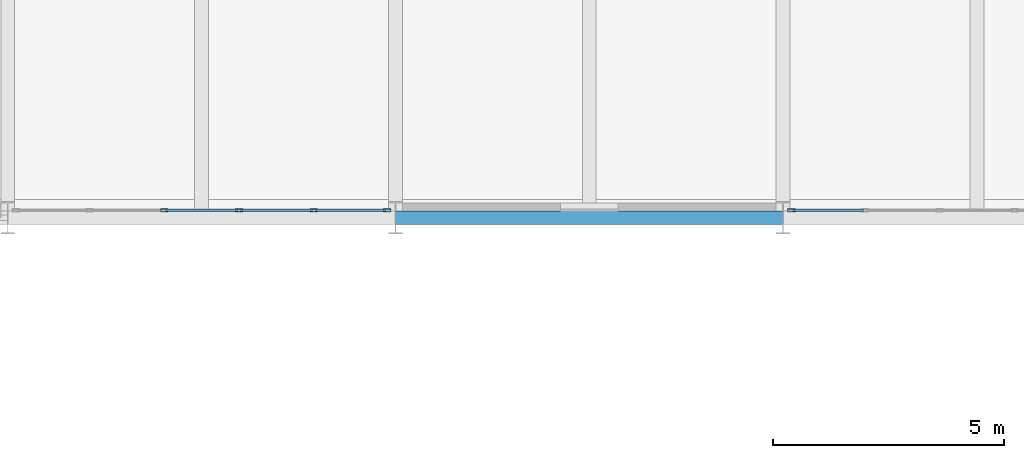
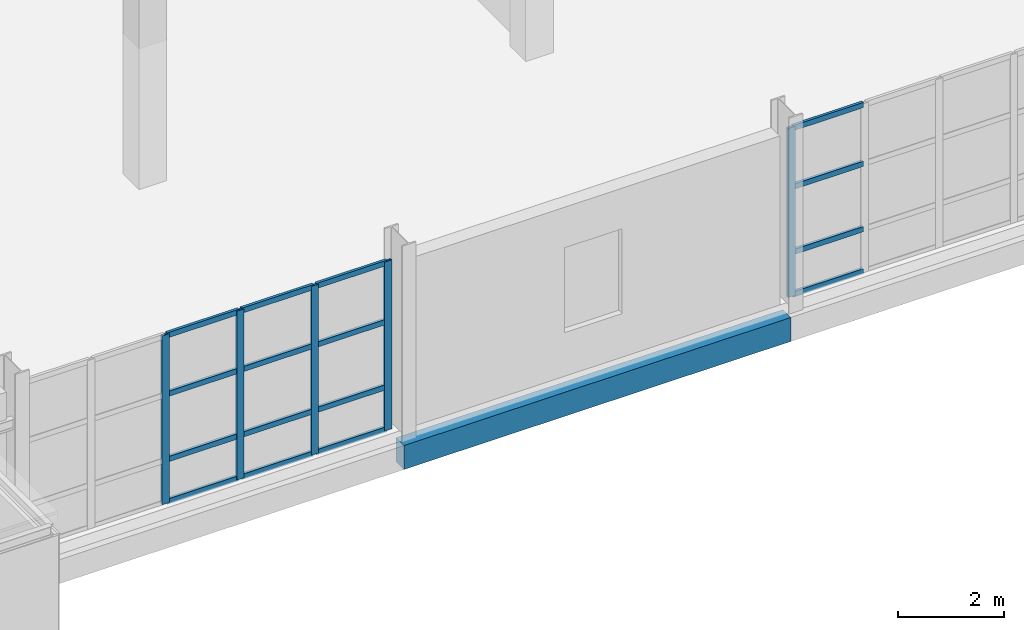
# One storey, part 64 of 113: 21 members, 1 beam, 2 elements without a shape of their own.
"""IFC4 building model written with IfcOpenShell, lengths in metres."""

import ifcopenshell
import ifcopenshell.guid

model = None  # the IFC model being written
_history = None  # IfcOwnerHistory: only IFC2X3 demands one
_inside = {}  # id of a spatial element -> (the spatial element, [elements in it])
_under = {}  # id of a project, library or spatial element -> (it, [spatial elements below it])
_declared = {}  # id of a project -> (the project, [libraries it declares])
_typed = {}  # id of a type object -> (the type object, [elements of that type])
_made_of = {}  # id of a material, layer set ... -> (it, [elements and type objects made of it])


def new_model(schema):
    """Start an empty IFC model of exactly this schema.

    Asked for "IFC4X3", IfcOpenShell would pick the latest addendum, in which some entities
    have other attributes; the version numbers below select the first issue.
    IFC2X3 requires an IfcOwnerHistory on every rooted entity: one is made here for all.
    """
    global model, _history
    if schema == "IFC4X3":
        model = ifcopenshell.file(schema_version=(4, 3, 0, 0))
    else:
        model = ifcopenshell.file(schema=schema)
    _inside.clear()
    _under.clear()
    _declared.clear()
    _typed.clear()
    _made_of.clear()
    _history = None
    if model.schema == "IFC2X3":
        org = make("IfcOrganization", Name="unknown")
        user = make(
            "IfcPersonAndOrganization",
            ThePerson=make("IfcPerson", FamilyName="unknown"),
            TheOrganization=org,
        )
        app = make(
            "IfcApplication",
            ApplicationDeveloper=org,
            Version="unknown",
            ApplicationFullName="unknown",
            ApplicationIdentifier="unknown",
        )
        _history = make(
            "IfcOwnerHistory",
            OwningUser=user,
            OwningApplication=app,
            ChangeAction="ADDED",
            CreationDate=0,
        )
    return model


def make(cls, **values):
    """One entity of the class cls with the attributes given. An attribute that is None is left unset."""
    return model.create_entity(
        cls, **{name: value for name, value in values.items() if value is not None}
    )


def rooted(cls, **values):
    """An entity with a GlobalId (a new one), such as an element, a storey or a relation."""
    return make(cls, GlobalId=ifcopenshell.guid.new(), OwnerHistory=_history, **values)


def si_unit(unit_type, name, prefix=None):
    """IfcSIUnit, for example si_unit("LENGTHUNIT", "METRE", prefix="MILLI")."""
    return make("IfcSIUnit", UnitType=unit_type, Prefix=prefix, Name=name)


def assignment(units):
    """IfcUnitAssignment: the units of a project."""
    return None if units is None else make("IfcUnitAssignment", Units=units)


def point(xyz):
    """IfcCartesianPoint."""
    return None if xyz is None else make("IfcCartesianPoint", Coordinates=xyz)


def direction(xyz):
    """IfcDirection."""
    return None if xyz is None else make("IfcDirection", DirectionRatios=xyz)


def frame(location, z_axis=None, x_axis=None):
    """IfcAxis2Placement3D, a coordinate frame: its origin and axes. An axis left out is left unset."""
    return make(
        "IfcAxis2Placement3D",
        Location=point(location),
        Axis=direction(z_axis),
        RefDirection=direction(x_axis),
    )


def frame_2d(location, x_axis=None):
    """IfcAxis2Placement2D, a coordinate frame in the plane: its origin and x axis."""
    return make(
        "IfcAxis2Placement2D", Location=point(location), RefDirection=direction(x_axis)
    )


def origin():
    """The frame at (0, 0, 0) with its axes left unset."""
    return frame((0.0, 0.0, 0.0))


def origin_2d():
    """The frame at (0, 0) in the plane with its x axis left unset."""
    return frame_2d((0.0, 0.0))


def place(relative_to, where):
    """IfcLocalPlacement: puts the frame where relative to a parent placement (None: the world)."""
    return make(
        "IfcLocalPlacement", PlacementRelTo=relative_to, RelativePlacement=where
    )


def context(
    kind, dimensions, precision=None, world=None, true_north=None, identifier=None
):
    """IfcGeometricRepresentationContext, for example the 3D "Model" context."""
    return make(
        "IfcGeometricRepresentationContext",
        ContextIdentifier=identifier,
        ContextType=kind,
        CoordinateSpaceDimension=dimensions,
        Precision=precision,
        WorldCoordinateSystem=world,
        TrueNorth=true_north,
    )


def subcontext(parent, identifier, kind, view, scale=None):
    """IfcGeometricRepresentationSubContext, for example "Body" below "Model"."""
    return make(
        "IfcGeometricRepresentationSubContext",
        ContextIdentifier=identifier,
        ContextType=kind,
        ParentContext=parent,
        TargetScale=scale,
        TargetView=view,
    )


def project(units=None, contexts=None):
    """IfcProject with its units and contexts."""
    return rooted(
        "IfcProject",
        Name="project",
        RepresentationContexts=contexts,
        UnitsInContext=assignment(units),
    )


def spatial(cls, under=None, at=None, **own):
    """A site, building, storey or space (cls), placed at a placement, below another one or the project."""
    s = rooted(cls, ObjectPlacement=at, **own)
    if under is not None:
        _under.setdefault(under.id(), (under, []))[1].append(s)
    return s


def profile(cls, at=None, kind="AREA", **sizes):
    """A parametric profile (cls). Its sizes go by their IFC names, for example OverallWidth=200.0."""
    return make(cls, ProfileType=kind, Position=at, **sizes)


def rectangle(**sizes):
    """IfcRectangleProfileDef."""
    return profile("IfcRectangleProfileDef", **sizes)


def hollow_rectangle(**sizes):
    """IfcRectangleHollowProfileDef."""
    return profile("IfcRectangleHollowProfileDef", **sizes)


def extrude(swept, where, along, depth):
    """IfcExtrudedAreaSolid: the profile swept, set in the frame where, extruded along a direction by depth."""
    return make(
        "IfcExtrudedAreaSolid",
        SweptArea=swept,
        Position=where,
        ExtrudedDirection=direction(along),
        Depth=depth,
    )


def shape(context_of_items, identifier, shape_type, items):
    """IfcShapeRepresentation: the items that make up one representation, for example the "Body"."""
    return make(
        "IfcShapeRepresentation",
        ContextOfItems=context_of_items,
        RepresentationIdentifier=identifier,
        RepresentationType=shape_type,
        Items=items,
    )


def material(Name=None, Category=None):
    """IfcMaterial."""
    return make("IfcMaterial", Name=Name, Category=Category)


def material_profile(
    of_material, cross_section, Name=None, Category=None, Priority=None
):
    """IfcMaterialProfile: a cross section and its material."""
    return make(
        "IfcMaterialProfile",
        Name=Name,
        Material=of_material,
        Profile=cross_section,
        Priority=Priority,
        Category=Category,
    )


def profile_set(profiles, Name=None, composite=None):
    """IfcMaterialProfileSet."""
    return make(
        "IfcMaterialProfileSet",
        Name=Name,
        MaterialProfiles=profiles,
        CompositeProfile=composite,
    )


def made_of(thing, what):
    """Note that an element or type object is made of a material, layer set ...; save() writes the relation."""
    if what is not None:
        _made_of.setdefault(what.id(), (what, []))[1].append(thing)
    return thing


def type_object(cls, material=None, **own):
    """A type object (cls), such as IfcWallType, which elements share."""
    return made_of(rooted(cls, **own), material)


def element(
    cls,
    number,
    at=None,
    inside=None,
    cuts=None,
    type_object=None,
    material=None,
    context=None,
    identifier="Body",
    shape_type=None,
    held_by="IfcProductDefinitionShape",
    body=None,
    shapes=None,
    **own,
):
    """One element of the class cls, such as IfcWall. Its Tag is "e" and its number.

    at: its placement. inside: the storey or other place that contains it. cuts: it is an
    opening in that element (IfcRelVoidsElement). A single representation is given by context,
    identifier, shape_type and body (its items); several are given by shapes. held_by: the class
    of the entity that holds the representations. save() writes the other relations.
    """
    e = rooted(cls, Tag="e%d" % number, ObjectPlacement=at, **own)
    if body is not None:
        shapes = [shape(context, identifier, shape_type, body)]
    if shapes is not None:
        e.Representation = make(held_by, Representations=shapes)
    if inside is not None:
        _inside.setdefault(inside.id(), (inside, []))[1].append(e)
    if cuts is not None:
        rooted(
            "IfcRelVoidsElement", RelatingBuildingElement=cuts, RelatedOpeningElement=e
        )
    if type_object is not None:
        _typed.setdefault(type_object.id(), (type_object, []))[1].append(e)
    return made_of(e, material)


def aggregate(whole, parts):
    """IfcRelAggregates: a whole, such as a stair, and the parts it consists of."""
    return rooted("IfcRelAggregates", RelatingObject=whole, RelatedObjects=parts)


def save(model, path):
    """Write the relations noted so far, then the file.

    IfcRelAggregates (storeys below a building ...), IfcRelContainedInSpatialStructure (elements
    in a storey), IfcRelDefinesByType, IfcRelAssociatesMaterial and IfcRelDeclares: one each for
    every whole, place, type object, material and project.
    """
    for whole, parts in _under.values():
        aggregate(whole, parts)
    for where, things in _inside.values():
        rooted(
            "IfcRelContainedInSpatialStructure",
            RelatedElements=things,
            RelatingStructure=where,
        )
    for kind, things in _typed.values():
        rooted("IfcRelDefinesByType", RelatedObjects=things, RelatingType=kind)
    for what, things in _made_of.values():
        rooted("IfcRelAssociatesMaterial", RelatedObjects=things, RelatingMaterial=what)
    for by, libraries in _declared.values():
        rooted("IfcRelDeclares", RelatingContext=by, RelatedDefinitions=libraries)
    model.write(path)


model = new_model("IFC4")

# Units and contexts
model_context = context("Model", 3, precision=1e-05, world=origin(), true_north=direction((0.0, 1.0)))
body_context = subcontext(model_context, "Body", "Model", "MODEL_VIEW")
ifc_project = project(units=[si_unit("LENGTHUNIT", "METRE"), si_unit("AREAUNIT", "SQUARE_METRE"), si_unit("VOLUMEUNIT", "CUBIC_METRE"), si_unit("PLANEANGLEUNIT", "RADIAN"), si_unit("MASSUNIT", "GRAM", prefix="KILO")], contexts=[model_context])

# Site, building, storey
site_placement = place(None, origin())
site = spatial("IfcSite", under=ifc_project, at=site_placement, CompositionType="ELEMENT")
building_placement = place(site_placement, origin())
building = spatial("IfcBuilding", under=site, at=building_placement, Name="Veltarok Museum of Natural Sciences", CompositionType="ELEMENT")
storey_placement = place(building_placement, frame((0.0, 0.0, 8.39990234375)))
storey = spatial("IfcBuildingStorey", under=building, at=storey_placement, Name="L01", CompositionType="ELEMENT", Elevation=8.39990234375)

# Curtain wall, members
ifc_material_1 = material(Name="Low-iron triple insulated glass", Category="glass")
curtain_wall_type_1 = type_object("IfcCurtainWallType", Name="Curtain Wall System CW-V5S-L01-16-810x388 (V5 South Lab Curtain Wall L01 16-17 810x388cm)", PredefinedType="NOTDEFINED", material=ifc_material_1)
curtain_wall_1_placement = place(storey_placement, origin())
curtain_wall_1 = element("IfcCurtainWall", 1, at=curtain_wall_1_placement, inside=storey, type_object=curtain_wall_type_1, Name="Curtain Wall CW-V5S-L01-16-810x388 CW-0090", PredefinedType="NOTDEFINED")
ifc_material_2 = material(Name="Thermally broken anodised aluminium", Category="aluminium")
ifc_material_profile_1 = material_profile(ifc_material_2, hollow_rectangle(XDim=0.06005859375, YDim=0.1201171875, WallThickness=0.0048828125, at=origin_2d()), Name="CW TRANSOM 60x120x5")
ifc_profile_set_1 = profile_set([ifc_material_profile_1], Name="Thermally broken anodised aluminium")
member_type_1 = type_object("IfcMemberType", Name="Curtain Wall Horizontal Transom 60x120x5", PredefinedType="USERDEFINED", material=ifc_profile_set_1)
member_1_placement = place(storey_placement, frame((135.820068359375, 0.159912109375, 0.030029296875), z_axis=(1.0, 0.0, 0.0), x_axis=(0.0, 1.0, 0.0)))
member_1 = element("IfcMember", 2, at=member_1_placement, type_object=member_type_1, Name="CW-V5S-L01-16-810x388 transom 3.1", ObjectType="TRANSOM", PredefinedType="USERDEFINED", context=body_context, shape_type="SweptSolid", body=[
    extrude(hollow_rectangle(XDim=0.06005859375, YDim=0.1201171875, WallThickness=0.0048828125, at=origin_2d()), origin(), (0.0, 0.0, 1.0), 1.559814453125),
])
member_2_placement = place(storey_placement, frame((135.820068359375, 0.159912109375, 1.0), z_axis=(1.0, 0.0, 0.0), x_axis=(0.0, 1.0, 0.0)))
member_2 = element("IfcMember", 3, at=member_2_placement, type_object=member_type_1, Name="CW-V5S-L01-16-810x388 transom 3.2", ObjectType="TRANSOM", PredefinedType="USERDEFINED", context=body_context, shape_type="SweptSolid", body=[
    extrude(hollow_rectangle(XDim=0.06005859375, YDim=0.1201171875, WallThickness=0.0048828125, at=origin_2d()), origin(), (0.0, 0.0, 1.0), 1.559814453125),
])
member_3_placement = place(storey_placement, frame((135.820068359375, 0.159912109375, 2.5), z_axis=(1.0, 0.0, 0.0), x_axis=(0.0, 1.0, 0.0)))
member_3 = element("IfcMember", 4, at=member_3_placement, type_object=member_type_1, Name="CW-V5S-L01-16-810x388 transom 3.3", ObjectType="TRANSOM", PredefinedType="USERDEFINED", context=body_context, shape_type="SweptSolid", body=[
    extrude(hollow_rectangle(XDim=0.06005859375, YDim=0.1201171875, WallThickness=0.0048828125, at=origin_2d()), origin(), (0.0, 0.0, 1.0), 1.559814453125),
])
member_4_placement = place(storey_placement, frame((135.820068359375, 0.159912109375, 3.85009765625), z_axis=(1.0, 0.0, 0.0), x_axis=(0.0, 1.0, 0.0)))
member_4 = element("IfcMember", 5, at=member_4_placement, type_object=member_type_1, Name="CW-V5S-L01-16-810x388 transom 3.4", ObjectType="TRANSOM", PredefinedType="USERDEFINED", context=body_context, shape_type="SweptSolid", body=[
    extrude(hollow_rectangle(XDim=0.06005859375, YDim=0.1201171875, WallThickness=0.0048828125, at=origin_2d()), origin(), (0.0, 0.0, 1.0), 1.559814453125),
])
member_5_placement = place(storey_placement, frame((137.43994140625, 0.159912109375, 0.030029296875), z_axis=(1.0, 0.0, 0.0), x_axis=(0.0, 1.0, 0.0)))
member_5 = element("IfcMember", 6, at=member_5_placement, type_object=member_type_1, Name="CW-V5S-L01-16-810x388 transom 4.1", ObjectType="TRANSOM", PredefinedType="USERDEFINED", context=body_context, shape_type="SweptSolid", body=[
    extrude(hollow_rectangle(XDim=0.06005859375, YDim=0.1201171875, WallThickness=0.0048828125, at=origin_2d()), origin(), (0.0, 0.0, 1.0), 1.56005859375),
])
member_6_placement = place(storey_placement, frame((137.43994140625, 0.159912109375, 1.0), z_axis=(1.0, 0.0, 0.0), x_axis=(0.0, 1.0, 0.0)))
member_6 = element("IfcMember", 7, at=member_6_placement, type_object=member_type_1, Name="CW-V5S-L01-16-810x388 transom 4.2", ObjectType="TRANSOM", PredefinedType="USERDEFINED", context=body_context, shape_type="SweptSolid", body=[
    extrude(hollow_rectangle(XDim=0.06005859375, YDim=0.1201171875, WallThickness=0.0048828125, at=origin_2d()), origin(), (0.0, 0.0, 1.0), 1.56005859375),
])
member_7_placement = place(storey_placement, frame((137.43994140625, 0.159912109375, 2.5), z_axis=(1.0, 0.0, 0.0), x_axis=(0.0, 1.0, 0.0)))
member_7 = element("IfcMember", 8, at=member_7_placement, type_object=member_type_1, Name="CW-V5S-L01-16-810x388 transom 4.3", ObjectType="TRANSOM", PredefinedType="USERDEFINED", context=body_context, shape_type="SweptSolid", body=[
    extrude(hollow_rectangle(XDim=0.06005859375, YDim=0.1201171875, WallThickness=0.0048828125, at=origin_2d()), origin(), (0.0, 0.0, 1.0), 1.56005859375),
])
member_8_placement = place(storey_placement, frame((137.43994140625, 0.159912109375, 3.85009765625), z_axis=(1.0, 0.0, 0.0), x_axis=(0.0, 1.0, 0.0)))
member_8 = element("IfcMember", 9, at=member_8_placement, type_object=member_type_1, Name="CW-V5S-L01-16-810x388 transom 4.4", ObjectType="TRANSOM", PredefinedType="USERDEFINED", context=body_context, shape_type="SweptSolid", body=[
    extrude(hollow_rectangle(XDim=0.06005859375, YDim=0.1201171875, WallThickness=0.0048828125, at=origin_2d()), origin(), (0.0, 0.0, 1.0), 1.56005859375),
])
member_9_placement = place(storey_placement, frame((139.06005859375, 0.159912109375, 0.030029296875), z_axis=(1.0, 0.0, 0.0), x_axis=(0.0, 1.0, 0.0)))
member_9 = element("IfcMember", 10, at=member_9_placement, type_object=member_type_1, Name="CW-V5S-L01-16-810x388 transom 5.1", ObjectType="TRANSOM", PredefinedType="USERDEFINED", context=body_context, shape_type="SweptSolid", body=[
    extrude(hollow_rectangle(XDim=0.06005859375, YDim=0.1201171875, WallThickness=0.0048828125, at=origin_2d()), origin(), (0.0, 0.0, 1.0), 1.530029296875),
])
member_10_placement = place(storey_placement, frame((139.06005859375, 0.159912109375, 1.0), z_axis=(1.0, 0.0, 0.0), x_axis=(0.0, 1.0, 0.0)))
member_10 = element("IfcMember", 11, at=member_10_placement, type_object=member_type_1, Name="CW-V5S-L01-16-810x388 transom 5.2", ObjectType="TRANSOM", PredefinedType="USERDEFINED", context=body_context, shape_type="SweptSolid", body=[
    extrude(hollow_rectangle(XDim=0.06005859375, YDim=0.1201171875, WallThickness=0.0048828125, at=origin_2d()), origin(), (0.0, 0.0, 1.0), 1.530029296875),
])
member_11_placement = place(storey_placement, frame((139.06005859375, 0.159912109375, 2.5), z_axis=(1.0, 0.0, 0.0), x_axis=(0.0, 1.0, 0.0)))
member_11 = element("IfcMember", 12, at=member_11_placement, type_object=member_type_1, Name="CW-V5S-L01-16-810x388 transom 5.3", ObjectType="TRANSOM", PredefinedType="USERDEFINED", context=body_context, shape_type="SweptSolid", body=[
    extrude(hollow_rectangle(XDim=0.06005859375, YDim=0.1201171875, WallThickness=0.0048828125, at=origin_2d()), origin(), (0.0, 0.0, 1.0), 1.530029296875),
])
member_12_placement = place(storey_placement, frame((139.06005859375, 0.159912109375, 3.85009765625), z_axis=(1.0, 0.0, 0.0), x_axis=(0.0, 1.0, 0.0)))
member_12 = element("IfcMember", 13, at=member_12_placement, type_object=member_type_1, Name="CW-V5S-L01-16-810x388 transom 5.4", ObjectType="TRANSOM", PredefinedType="USERDEFINED", context=body_context, shape_type="SweptSolid", body=[
    extrude(hollow_rectangle(XDim=0.06005859375, YDim=0.1201171875, WallThickness=0.0048828125, at=origin_2d()), origin(), (0.0, 0.0, 1.0), 1.530029296875),
])

curtain_wall_type_2 = type_object("IfcCurtainWallType", Name="Curtain Wall System CW-V5S-L01-18-810x388 (V5 South Lab Curtain Wall L01 18-19 810x388cm)", PredefinedType="NOTDEFINED", material=ifc_material_1)
curtain_wall_2_placement = place(storey_placement, origin())
curtain_wall_2 = element("IfcCurtainWall", 14, at=curtain_wall_2_placement, inside=storey, type_object=curtain_wall_type_2, Name="Curtain Wall CW-V5S-L01-18-810x388 CW-0091", PredefinedType="NOTDEFINED")
member_13_placement = place(storey_placement, frame((149.409912109375, 0.159912109375, 0.030029296875), z_axis=(1.0, 0.0, 0.0), x_axis=(0.0, 1.0, 0.0)))
member_13 = element("IfcMember", 15, at=member_13_placement, type_object=member_type_1, Name="CW-V5S-L01-18-810x388 transom 1.1", ObjectType="TRANSOM", PredefinedType="USERDEFINED", context=body_context, shape_type="SweptSolid", body=[
    extrude(hollow_rectangle(XDim=0.06005859375, YDim=0.1201171875, WallThickness=0.0048828125, at=origin_2d()), origin(), (0.0, 0.0, 1.0), 1.530029296875),
])
member_14_placement = place(storey_placement, frame((149.409912109375, 0.159912109375, 1.0), z_axis=(1.0, 0.0, 0.0), x_axis=(0.0, 1.0, 0.0)))
member_14 = element("IfcMember", 16, at=member_14_placement, type_object=member_type_1, Name="CW-V5S-L01-18-810x388 transom 1.2", ObjectType="TRANSOM", PredefinedType="USERDEFINED", context=body_context, shape_type="SweptSolid", body=[
    extrude(hollow_rectangle(XDim=0.06005859375, YDim=0.1201171875, WallThickness=0.0048828125, at=origin_2d()), origin(), (0.0, 0.0, 1.0), 1.530029296875),
])
member_15_placement = place(storey_placement, frame((149.409912109375, 0.159912109375, 2.5), z_axis=(1.0, 0.0, 0.0), x_axis=(0.0, 1.0, 0.0)))
member_15 = element("IfcMember", 17, at=member_15_placement, type_object=member_type_1, Name="CW-V5S-L01-18-810x388 transom 1.3", ObjectType="TRANSOM", PredefinedType="USERDEFINED", context=body_context, shape_type="SweptSolid", body=[
    extrude(hollow_rectangle(XDim=0.06005859375, YDim=0.1201171875, WallThickness=0.0048828125, at=origin_2d()), origin(), (0.0, 0.0, 1.0), 1.530029296875),
])
member_16_placement = place(storey_placement, frame((149.409912109375, 0.159912109375, 3.85009765625), z_axis=(1.0, 0.0, 0.0), x_axis=(0.0, 1.0, 0.0)))
member_16 = element("IfcMember", 18, at=member_16_placement, type_object=member_type_1, Name="CW-V5S-L01-18-810x388 transom 1.4", ObjectType="TRANSOM", PredefinedType="USERDEFINED", context=body_context, shape_type="SweptSolid", body=[
    extrude(hollow_rectangle(XDim=0.06005859375, YDim=0.1201171875, WallThickness=0.0048828125, at=origin_2d()), origin(), (0.0, 0.0, 1.0), 1.530029296875),
])

# Member
ifc_material_profile_2 = material_profile(ifc_material_2, hollow_rectangle(XDim=0.06005859375, YDim=0.159912109375, WallThickness=0.0048828125, at=origin_2d()), Name="CW MULLION 60x160x5")
ifc_profile_set_2 = profile_set([ifc_material_profile_2], Name="Thermally broken anodised aluminium")
member_type_2 = type_object("IfcMemberType", Name="Curtain Wall Vertical Mullion 60x160x5", PredefinedType="MULLION", material=ifc_profile_set_2)
member_17_placement = place(storey_placement, frame((135.7900390625, 0.159912109375, 0.0), z_axis=(0.0, 0.0, 1.0), x_axis=(0.0, 1.0, 0.0)))
member_17 = element("IfcMember", 19, at=member_17_placement, type_object=member_type_2, Name="CW-V5S-L01-16-810x388 mullion 3", PredefinedType="MULLION", context=body_context, shape_type="SweptSolid", body=[
    extrude(hollow_rectangle(XDim=0.06005859375, YDim=0.159912109375, WallThickness=0.0048828125, at=origin_2d()), origin(), (0.0, 0.0, 1.0), 3.880126953125),
])

member_18_placement = place(storey_placement, frame((137.409912109375, 0.159912109375, 0.0), z_axis=(0.0, 0.0, 1.0), x_axis=(0.0, 1.0, 0.0)))
member_18 = element("IfcMember", 20, at=member_18_placement, type_object=member_type_2, Name="CW-V5S-L01-16-810x388 mullion 4", PredefinedType="MULLION", context=body_context, shape_type="SweptSolid", body=[
    extrude(hollow_rectangle(XDim=0.06005859375, YDim=0.159912109375, WallThickness=0.0048828125, at=origin_2d()), origin(), (0.0, 0.0, 1.0), 3.880126953125),
])

member_19_placement = place(storey_placement, frame((139.030029296875, 0.159912109375, 0.0), z_axis=(0.0, 0.0, 1.0), x_axis=(0.0, 1.0, 0.0)))
member_19 = element("IfcMember", 21, at=member_19_placement, type_object=member_type_2, Name="CW-V5S-L01-16-810x388 mullion 5", PredefinedType="MULLION", context=body_context, shape_type="SweptSolid", body=[
    extrude(hollow_rectangle(XDim=0.06005859375, YDim=0.159912109375, WallThickness=0.0048828125, at=origin_2d()), origin(), (0.0, 0.0, 1.0), 3.880126953125),
])

member_20_placement = place(storey_placement, frame((140.6201171875, 0.159912109375, 0.0), z_axis=(0.0, 0.0, 1.0), x_axis=(0.0, 1.0, 0.0)))
member_20 = element("IfcMember", 22, at=member_20_placement, type_object=member_type_2, Name="CW-V5S-L01-16-810x388 mullion 6", PredefinedType="MULLION", context=body_context, shape_type="SweptSolid", body=[
    extrude(hollow_rectangle(XDim=0.06005859375, YDim=0.159912109375, WallThickness=0.0048828125, at=origin_2d()), origin(), (0.0, 0.0, 1.0), 3.880126953125),
])

aggregate(curtain_wall_1, [member_17, member_18, member_19, member_20, member_1, member_2, member_3, member_4, member_5, member_6, member_7, member_8, member_9, member_10, member_11, member_12])

member_21_placement = place(storey_placement, frame((149.3798828125, 0.159912109375, 0.0), z_axis=(0.0, 0.0, 1.0), x_axis=(0.0, 1.0, 0.0)))
member_21 = element("IfcMember", 23, at=member_21_placement, type_object=member_type_2, Name="CW-V5S-L01-18-810x388 mullion 1", PredefinedType="MULLION", context=body_context, shape_type="SweptSolid", body=[
    extrude(hollow_rectangle(XDim=0.06005859375, YDim=0.159912109375, WallThickness=0.0048828125, at=origin_2d()), origin(), (0.0, 0.0, 1.0), 3.880126953125),
])

aggregate(curtain_wall_2, [member_21, member_13, member_14, member_15, member_16])

# Beam
ifc_material_3 = material(Name="Precast concrete C40/50", Category="concrete")
ifc_material_profile_3 = material_profile(ifc_material_3, rectangle(XDim=0.300048828125, YDim=0.550048828125, at=origin_2d()), Name="RC 300x550")
ifc_profile_set_3 = profile_set([ifc_material_profile_3], Name="Precast concrete C40/50")
beam_type = type_object("IfcBeamType", Name="East Wing Precast Spandrel RC 300x550", PredefinedType="SPANDREL", material=ifc_profile_set_3)
beam_placement = place(storey_placement, frame((140.800048828125, 0.0, -0.52490234375), z_axis=(1.0, 0.0, 0.0), x_axis=(0.0, 1.0, 0.0)))
element("IfcBeam", 24, at=beam_placement, inside=storey, type_object=beam_type, Name="Beam BM-SP02 L01 17-18/A", PredefinedType="SPANDREL", context=body_context, shape_type="SweptSolid", body=[
    extrude(rectangle(XDim=0.300048828125, YDim=0.550048828125, at=origin_2d()), origin(), (0.0, 0.0, 1.0), 8.39990234375),
])

save(model, "model.ifc")
